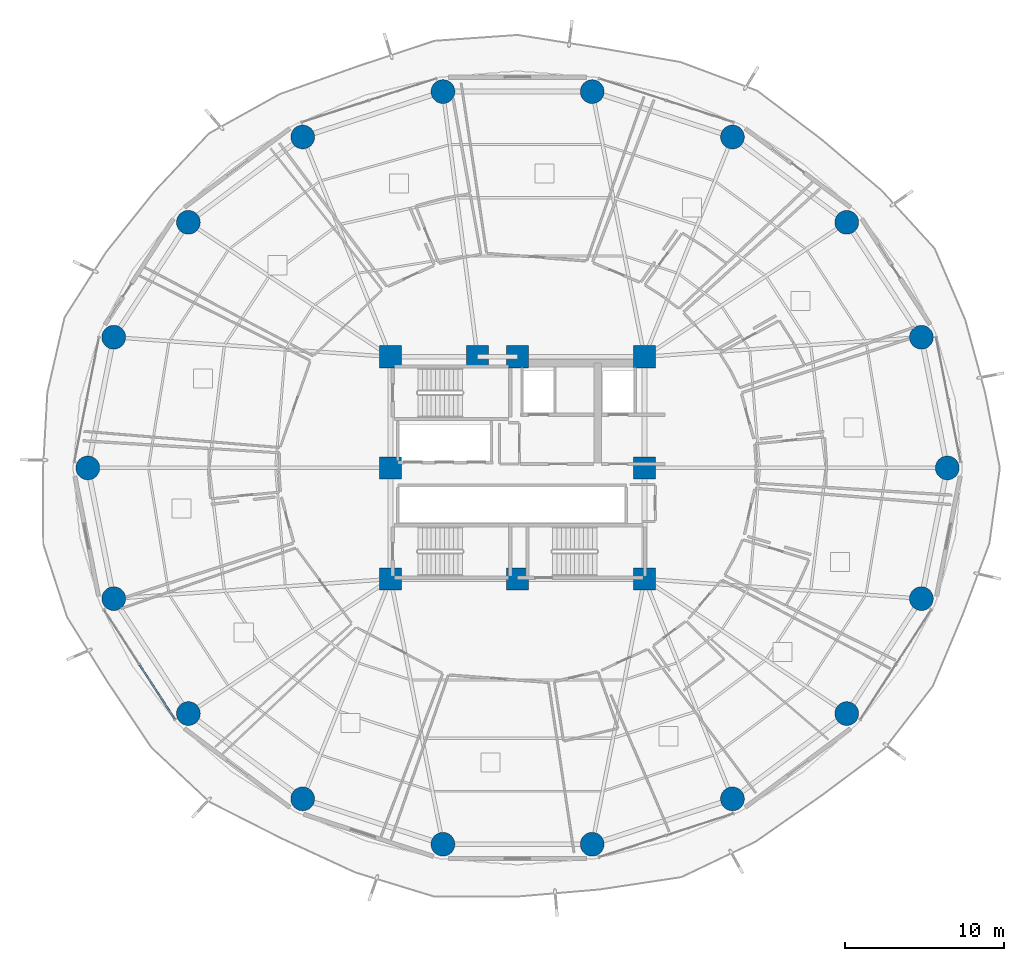
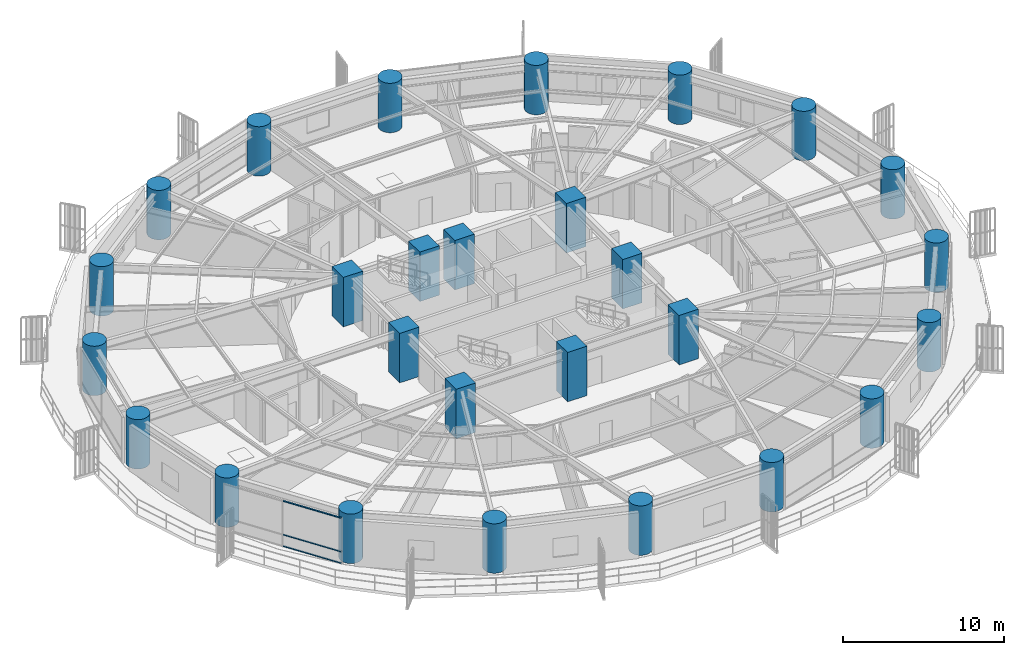
# One storey, part 1 of 31: 27 columns, 3 members, 1 element without a shape of its own.
"""IFC4 building model written with IfcOpenShell, lengths in metres."""

from ifc_helpers import new_model, si_unit, direction, frame, origin, origin_2d, place, context, subcontext, project, spatial, rectangle, hollow_rectangle, circle, extrude, material, layer, layer_set, material_profile, profile_set, type_object, element, aggregate, save


model = new_model("IFC4")

# Units and contexts
model_context = context("Model", 3, precision=1e-05, world=origin(), true_north=direction((0.0, 1.0)))
body_context = subcontext(model_context, "Body", "Model", "MODEL_VIEW")
ifc_project = project(units=[si_unit("LENGTHUNIT", "METRE"), si_unit("AREAUNIT", "SQUARE_METRE"), si_unit("VOLUMEUNIT", "CUBIC_METRE"), si_unit("PLANEANGLEUNIT", "RADIAN"), si_unit("MASSUNIT", "GRAM", prefix="KILO")], contexts=[model_context])

# Site, building, storey
site_placement = place(None, origin())
site = spatial("IfcSite", under=ifc_project, at=site_placement, CompositionType="ELEMENT")
building_placement = place(site_placement, origin())
building = spatial("IfcBuilding", under=site, at=building_placement, Name="Kelanora Arch Commons", CompositionType="ELEMENT")
storey_placement = place(building_placement, frame((0.0, 0.0, 63.75)))
storey = spatial("IfcBuildingStorey", under=building, at=storey_placement, Name="L16", CompositionType="ELEMENT", Elevation=63.75)

# Columns
ifc_material_1 = material(Name="Concrete C60/75", Category="concrete")
ifc_material_profile_1 = material_profile(ifc_material_1, circle(Radius=0.75, at=origin_2d()), Name="RCC1500")
ifc_profile_set_1 = profile_set([ifc_material_profile_1], Name="Concrete C60/75")
column_type_1 = type_object("IfcColumnType", Name="COL-PERIM-Z1", PredefinedType="COLUMN", material=ifc_profile_set_1)
for number, where, z_axis, x_axis, name in (
    (1, (101.080078125, 58.0, 0.0), (0.0, 0.0, 1.0), (1.0, 0.0, 0.0), "Perimeter Ring Column CP-00 L16"),
    (2, (99.447021484375, 66.23583984375, 0.0), (0.0, 0.0, 1.0), (1.0, 0.0, 0.0), "Perimeter Ring Column CP-02 L16"),
    (3, (94.744384765625, 73.478271484375, 0.0), (0.0, 0.0, 1.0), (1.0, 0.0, 0.0), "Perimeter Ring Column CP-04 L16"),
    (4, (87.5400390625, 78.85400390625, 0.0), (0.0, 0.0, 1.0), (1.0, 0.0, 0.0), "Perimeter Ring Column CP-06 L16"),
    (5, (78.702392578125, 81.714111328125, 0.0), (0.0, 0.0, 1.0), (1.0, 0.0, 0.0), "Perimeter Ring Column CP-08 L16"),
    (6, (69.297607421875, 81.714111328125, 0.0), (0.0, 0.0, 1.0), (1.0, 0.0, 0.0), "Perimeter Ring Column CP-10 L16"),
    (7, (60.4599609375, 78.85400390625, 0.0), (0.0, 0.0, 1.0), (1.0, 0.0, 0.0), "Perimeter Ring Column CP-12 L16"),
    (8, (53.255615234375, 73.478271484375, 0.0), (0.0, 0.0, 1.0), (1.0, 0.0, 0.0), "Perimeter Ring Column CP-14 L16"),
    (9, (48.552978515625, 66.23583984375, 0.0), (0.0, 0.0, 1.0), (1.0, 0.0, 0.0), "Perimeter Ring Column CP-16 L16"),
    (10, (46.919921875, 58.0, 0.0), (0.0, 0.0, 1.0), (1.0, 0.0, 0.0), "Perimeter Ring Column CP-18 L16"),
    (11, (48.552978515625, 49.76416015625, 0.0), (0.0, 0.0, 1.0), (1.0, 0.0, 0.0), "Perimeter Ring Column CP-20 L16"),
    (12, (53.255615234375, 42.521728515625, 0.0), (0.0, 0.0, 1.0), (1.0, 0.0, 0.0), "Perimeter Ring Column CP-22 L16"),
    (13, (60.4599609375, 37.14599609375, 0.0), (0.0, 0.0, 1.0), (1.0, 0.0, 0.0), "Perimeter Ring Column CP-24 L16"),
    (14, (69.297607421875, 34.285888671875, 0.0), (0.0, 0.0, 1.0), (1.0, 0.0, 0.0), "Perimeter Ring Column CP-26 L16"),
    (15, (78.702392578125, 34.285888671875, 0.0), (0.0, 0.0, 1.0), (1.0, 0.0, 0.0), "Perimeter Ring Column CP-28 L16"),
    (16, (87.5400390625, 37.14599609375, 0.0), (0.0, 0.0, 1.0), (1.0, 0.0, 0.0), "Perimeter Ring Column CP-30 L16"),
    (17, (94.744384765625, 42.521728515625, 0.0), (0.0, 0.0, 1.0), (1.0, 0.0, 0.0), "Perimeter Ring Column CP-32 L16"),
    (18, (99.447021484375, 49.76416015625, 0.0), (0.0, 0.0, 1.0), (1.0, 0.0, 0.0), "Perimeter Ring Column CP-34 L16"),
):
    element("IfcColumn", number, at=place(storey_placement, frame(where, z_axis=z_axis, x_axis=x_axis)), inside=storey, type_object=column_type_1, Name=name, PredefinedType="COLUMN", context=body_context, shape_type="SweptSolid", body=[
        extrude(circle(Radius=0.75, at=origin_2d()), origin(), (0.0, 0.0, 1.0), 3.75),
    ])
ifc_material_profile_2 = material_profile(ifc_material_1, rectangle(XDim=1.39990234375, YDim=1.39990234375, at=origin_2d()), Name="RC1400x1400")
ifc_profile_set_2 = profile_set([ifc_material_profile_2], Name="Concrete C60/75")
column_type_2 = type_object("IfcColumnType", Name="COL-PIL-LOW", PredefinedType="PILASTER", material=ifc_profile_set_2)
for number, where, z_axis, x_axis, name in (
    (19, (66.0, 51.0, 0.0), (0.0, 0.0, 1.0), (1.0, 0.0, 0.0), "Core Pilaster Column CP1 L16"),
    (20, (74.0, 51.0, 0.0), (0.0, 0.0, 1.0), (1.0, 0.0, 0.0), "Core Pilaster Column CP2 L16"),
    (21, (82.0, 51.0, 0.0), (0.0, 0.0, 1.0), (1.0, 0.0, 0.0), "Core Pilaster Column CP3 L16"),
    (22, (82.0, 58.0, 0.0), (0.0, 0.0, 1.0), (1.0, 0.0, 0.0), "Core Pilaster Column CP4 L16"),
    (23, (82.0, 65.0, 0.0), (0.0, 0.0, 1.0), (1.0, 0.0, 0.0), "Core Pilaster Column CP5 L16"),
    (24, (74.0, 65.0, 0.0), (0.0, 0.0, 1.0), (1.0, 0.0, 0.0), "Core Pilaster Column CP6 L16"),
    (25, (71.47998046875, 65.0, 0.0), (0.0, 0.0, 1.0), (1.0, 0.0, 0.0), "Core Pilaster Column CP9 L16"),
    (26, (66.0, 65.0, 0.0), (0.0, 0.0, 1.0), (1.0, 0.0, 0.0), "Core Pilaster Column CP7 L16"),
    (27, (66.0, 58.0, 0.0), (0.0, 0.0, 1.0), (1.0, 0.0, 0.0), "Core Pilaster Column CP8 L16"),
):
    element("IfcColumn", number, at=place(storey_placement, frame(where, z_axis=z_axis, x_axis=x_axis)), inside=storey, type_object=column_type_2, Name=name, PredefinedType="PILASTER", context=body_context, shape_type="SweptSolid", body=[
        extrude(rectangle(XDim=1.39990234375, YDim=1.39990234375, at=origin_2d()), origin(), (0.0, 0.0, 1.0), 3.75),
    ])

# Curtain wall, members
ifc_material_2 = material(Name="Terracotta ceramic-fritted low-E glass and aluminium", Category="masonry")
ifc_layer = layer(ifc_material_2, 0.159912109375)
ifc_layer_set = layer_set([ifc_layer], Name="Terracotta ceramic-fritted low-E glass and aluminium")
curtain_wall_type = type_object("IfcCurtainWallType", Name="CW-SYS-01", PredefinedType="NOTDEFINED", material=ifc_layer_set)
curtain_wall_placement = place(storey_placement, origin())
curtain_wall = element("IfcCurtainWall", 28, at=curtain_wall_placement, inside=storey, type_object=curtain_wall_type, Name="Unitised Curtain Wall L16-B10", PredefinedType="NOTDEFINED")
ifc_material_3 = material(Name="Powder-coated aluminium terracotta", Category="masonry")
ifc_material_profile_3 = material_profile(ifc_material_3, hollow_rectangle(XDim=0.1201171875, YDim=0.06005859375, WallThickness=0.0048828125, InnerFilletRadius=0.0048828125, OuterFilletRadius=0.010009765625, at=origin_2d()), Name="CWT120x60")
ifc_profile_set_3 = profile_set([ifc_material_profile_3], Name="Powder-coated aluminium terracotta")
member_type = type_object("IfcMemberType", Name="CWT-STD", PredefinedType="USERDEFINED", material=ifc_profile_set_3)
member_1_placement = place(storey_placement, frame((50.185546875, 45.588134765625, 0.030029296875), z_axis=(0.542997414293, -0.839734367566, 0.0), x_axis=(0.839734367566, 0.542997414293, 0.0)))
member_1 = element("IfcMember", 29, at=member_1_placement, type_object=member_type, Name="CW-01 transom 2.1", ObjectType="TRANSOM", PredefinedType="USERDEFINED", context=body_context, shape_type="SweptSolid", body=[
    extrude(hollow_rectangle(XDim=0.1201171875, YDim=0.06005859375, WallThickness=0.0048828125, InnerFilletRadius=0.0048828125, OuterFilletRadius=0.010009765625, at=origin_2d()), origin(), (0.0, 0.0, 1.0), 4.067626953125),
])
member_2_placement = place(storey_placement, frame((50.185546875, 45.588134765625, 0.89990234375), z_axis=(0.542997414293, -0.839734367566, 0.0), x_axis=(0.839734367566, 0.542997414293, 0.0)))
member_2 = element("IfcMember", 30, at=member_2_placement, type_object=member_type, Name="CW-01 transom 2.2", ObjectType="TRANSOM", PredefinedType="USERDEFINED", context=body_context, shape_type="SweptSolid", body=[
    extrude(hollow_rectangle(XDim=0.1201171875, YDim=0.06005859375, WallThickness=0.0048828125, InnerFilletRadius=0.0048828125, OuterFilletRadius=0.010009765625, at=origin_2d()), origin(), (0.0, 0.0, 1.0), 4.067626953125),
])
member_3_placement = place(storey_placement, frame((50.185546875, 45.588134765625, 3.445068359375), z_axis=(0.542997414293, -0.839734367566, 0.0), x_axis=(0.839734367566, 0.542997414293, 0.0)))
member_3 = element("IfcMember", 31, at=member_3_placement, type_object=member_type, Name="CW-01 transom 2.3", ObjectType="TRANSOM", PredefinedType="USERDEFINED", context=body_context, shape_type="SweptSolid", body=[
    extrude(hollow_rectangle(XDim=0.1201171875, YDim=0.06005859375, WallThickness=0.0048828125, InnerFilletRadius=0.0048828125, OuterFilletRadius=0.010009765625, at=origin_2d()), origin(), (0.0, 0.0, 1.0), 4.067626953125),
])
aggregate(curtain_wall, [member_1, member_2, member_3])

save(model, "model.ifc")
